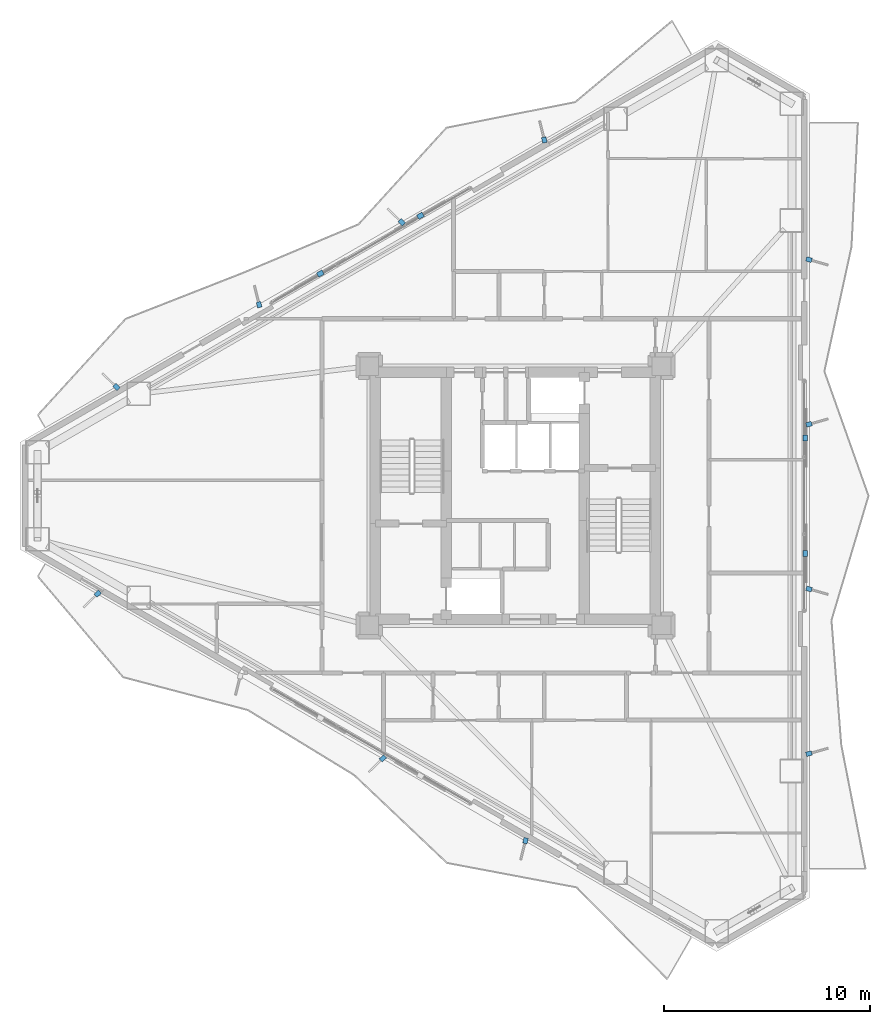
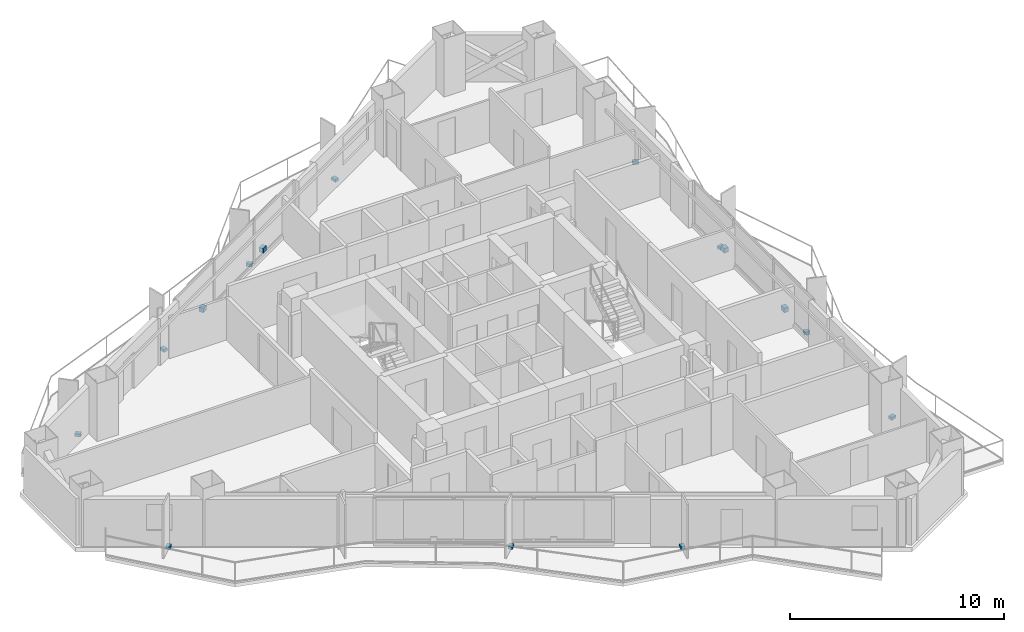
# One storey, part 20 of 22: 15 discrete accessories.
"""IFC4 building model written with IfcOpenShell, lengths in metres."""

from ifc_helpers import new_model, si_unit, direction, frame, origin, origin_2d, place, context, subcontext, project, spatial, rectangle, extrude, material, layer, layer_set, type_object, element, save


model = new_model("IFC4")

# Units and contexts
model_context = context("Model", 3, precision=1e-05, world=origin(), true_north=direction((0.0, 1.0)))
body_context = subcontext(model_context, "Body", "Model", "MODEL_VIEW")
ifc_project = project(units=[si_unit("LENGTHUNIT", "METRE"), si_unit("AREAUNIT", "SQUARE_METRE"), si_unit("VOLUMEUNIT", "CUBIC_METRE"), si_unit("PLANEANGLEUNIT", "RADIAN"), si_unit("MASSUNIT", "GRAM", prefix="KILO")], contexts=[model_context])

# Site, building, storey
site_placement = place(None, origin())
site = spatial("IfcSite", under=ifc_project, at=site_placement, CompositionType="ELEMENT")
building_placement = place(site_placement, origin())
building = spatial("IfcBuilding", under=site, at=building_placement, Name="Mersakhor Tower and Convention Hall", CompositionType="ELEMENT")
storey_placement = place(building_placement, frame((0.0, 0.0, 83.39990234375)))
storey = spatial("IfcBuildingStorey", under=building, at=storey_placement, Name="L22", CompositionType="ELEMENT", Elevation=83.39990234375)

# Discrete accessories
ifc_material = material(Name="Galvanised steel bracket", Category="steel")
ifc_layer = layer(ifc_material, 0.02001953125)
ifc_layer_set = layer_set([ifc_layer], Name="Galvanised steel bracket")
discrete_accessory_type = type_object("IfcDiscreteAccessoryType", Name="ACC-BRK-STL", PredefinedType="BRACKET", material=ifc_layer_set)
for number, where, z_axis, x_axis, name in (
    (1, (19.5263671875, 37.5439453125, 0.2900390625), (0.0, 0.0, 1.0), (0.866025403784, 0.5, 0.0), "L22 Solar Screen Outrigger Bracket BRK-1-1"),
    (2, (24.388916015625, 40.351318359375, 0.2900390625), (0.0, 0.0, 1.0), (0.866025403784, 0.5, 0.0), "L22 Solar Screen Outrigger Bracket BRK-1-2"),
):
    element("IfcDiscreteAccessory", number, at=place(storey_placement, frame(where, z_axis=z_axis, x_axis=x_axis)), inside=storey, type_object=discrete_accessory_type, Name=name, PredefinedType="BRACKET", context=body_context, shape_type="SweptSolid", body=[
        extrude(rectangle(XDim=0.300048828125, YDim=0.239990234375, at=origin_2d()), origin(), (0.0, 0.0, 1.0), 0.260009765625),
    ])
for number, where, z_axis, x_axis, name in (
    (3, (9.623291015625, 32.0341796875, -0.02001953125), (0.0, 0.0, 1.0), (-0.719339800339, 0.694658370459, 0.0), "L22 Facade Fin Base Cleat Bracket FBRK-1-1"),
    (4, (16.551513671875, 36.0341796875, -0.02001953125), (0.0, 0.0, 1.0), (-0.2419218956, 0.970295726276, 0.0), "L22 Facade Fin Base Cleat Bracket FBRK-1-2"),
    (5, (23.4794921875, 40.0341796875, -0.02001953125), (0.0, 0.0, 1.0), (-0.719339800339, 0.694658370459, 0.0), "L22 Facade Fin Base Cleat Bracket FBRK-1-3"),
    (6, (30.40771484375, 44.0341796875, -0.02001953125), (0.0, 0.0, 1.0), (-0.2419218956, 0.970295726276, 0.0), "L22 Facade Fin Base Cleat Bracket FBRK-1-4"),
):
    element("IfcDiscreteAccessory", number, at=place(storey_placement, frame(where, z_axis=z_axis, x_axis=x_axis)), inside=storey, type_object=discrete_accessory_type, Name=name, PredefinedType="BRACKET", context=body_context, shape_type="SweptSolid", body=[
        extrude(rectangle(XDim=0.280029296875, YDim=0.219970703125, at=origin_2d()), origin(), (0.0, 0.0, 1.0), 0.159912109375),
    ])
for number, where, z_axis, x_axis, name in (
    (7, (43.084716796875, 29.557373046875, 0.2900390625), (0.0, 0.0, 1.0), (0.0, -1.0, 0.0), "L22 Solar Screen Outrigger Bracket BRK-2-1"),
    (8, (43.084716796875, 23.942626953125, 0.2900390625), (0.0, 0.0, 1.0), (0.0, -1.0, 0.0), "L22 Solar Screen Outrigger Bracket BRK-2-2"),
):
    element("IfcDiscreteAccessory", number, at=place(storey_placement, frame(where, z_axis=z_axis, x_axis=x_axis)), inside=storey, type_object=discrete_accessory_type, Name=name, PredefinedType="BRACKET", context=body_context, shape_type="SweptSolid", body=[
        extrude(rectangle(XDim=0.300048828125, YDim=0.239990234375, at=origin_2d()), origin(), (0.0, 0.0, 1.0), 0.260009765625),
    ])
for number, where, z_axis, x_axis, name in (
    (9, (43.2646484375, 38.221923828125, -0.02001953125), (0.0, 0.0, 1.0), (0.961261695938, -0.275637355817, 0.0), "L22 Facade Fin Base Cleat Bracket FBRK-2-1"),
    (10, (43.2646484375, 30.221923828125, -0.02001953125), (0.0, 0.0, 1.0), (0.961261695938, 0.275637355817, 0.0), "L22 Facade Fin Base Cleat Bracket FBRK-2-2"),
    (11, (43.2646484375, 22.221923828125, -0.02001953125), (0.0, 0.0, 1.0), (0.961261695938, -0.275637355817, 0.0), "L22 Facade Fin Base Cleat Bracket FBRK-2-3"),
    (12, (43.2646484375, 14.221923828125, -0.02001953125), (0.0, 0.0, 1.0), (0.961261695938, 0.275637355817, 0.0), "L22 Facade Fin Base Cleat Bracket FBRK-2-4"),
    (13, (29.493408203125, 9.993896484375, -0.02001953125), (0.0, 0.0, 1.0), (-0.2419218956, -0.970295726276, 0.0), "L22 Facade Fin Base Cleat Bracket FBRK-3-1"),
    (14, (22.565185546875, 13.993896484375, -0.02001953125), (0.0, 0.0, 1.0), (-0.719339800339, -0.694658370459, 0.0), "L22 Facade Fin Base Cleat Bracket FBRK-3-2"),
    (15, (8.708740234375, 21.993896484375, -0.02001953125), (0.0, 0.0, 1.0), (-0.719339800339, -0.694658370459, 0.0), "L22 Facade Fin Base Cleat Bracket FBRK-3-4"),
):
    element("IfcDiscreteAccessory", number, at=place(storey_placement, frame(where, z_axis=z_axis, x_axis=x_axis)), inside=storey, type_object=discrete_accessory_type, Name=name, PredefinedType="BRACKET", context=body_context, shape_type="SweptSolid", body=[
        extrude(rectangle(XDim=0.280029296875, YDim=0.219970703125, at=origin_2d()), origin(), (0.0, 0.0, 1.0), 0.159912109375),
    ])

save(model, "model.ifc")
